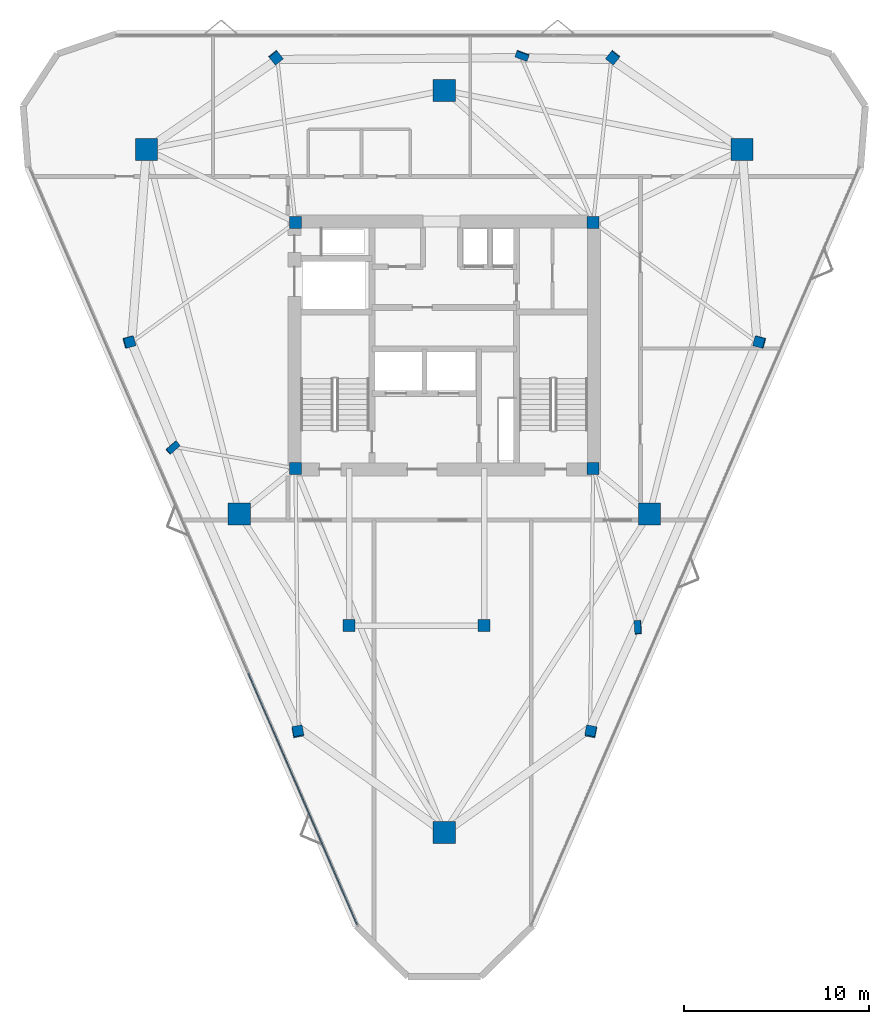
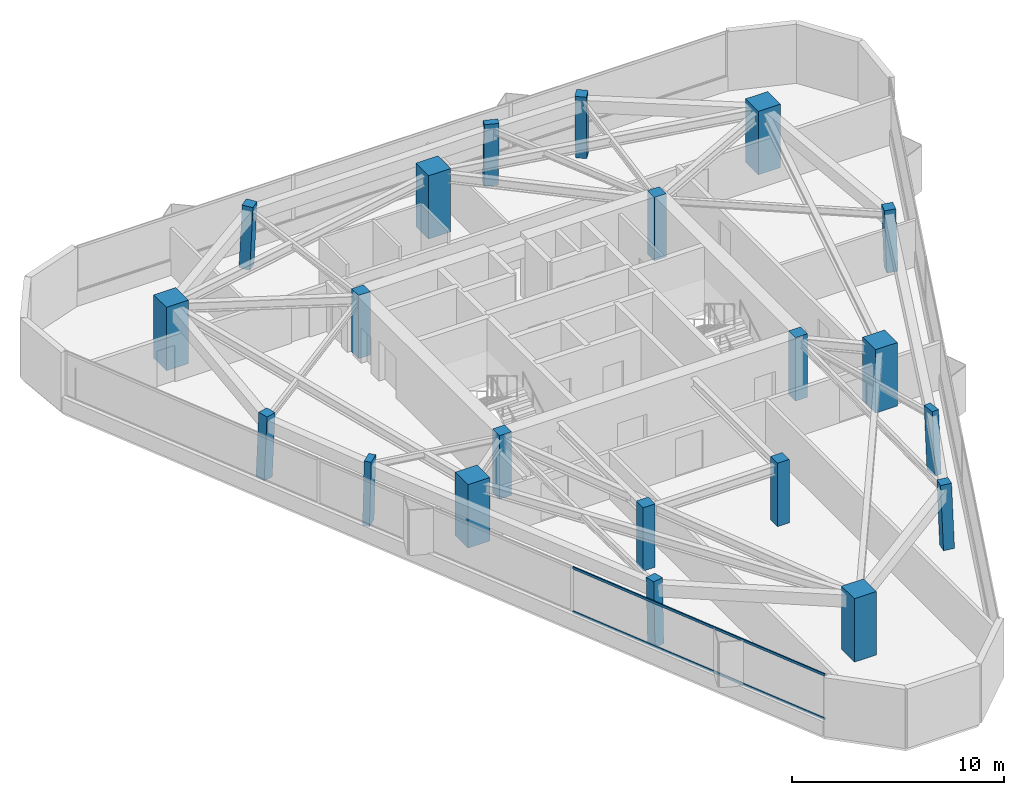
# One storey, part 1 of 11: 21 columns, 2 members, 1 element without a shape of its own.
"""IFC4 building model written with IfcOpenShell, lengths in metres."""

from ifc_helpers import new_model, si_unit, direction, frame, origin, origin_2d, place, context, subcontext, project, spatial, rectangle, extrude, material, layer, layer_set, material_profile, profile_set, type_object, element, aggregate, save


model = new_model("IFC4")

# Units and contexts
model_context = context("Model", 3, precision=1e-05, world=origin(), true_north=direction((0.0, 1.0)))
body_context = subcontext(model_context, "Body", "Model", "MODEL_VIEW")
ifc_project = project(units=[si_unit("LENGTHUNIT", "METRE"), si_unit("AREAUNIT", "SQUARE_METRE"), si_unit("VOLUMEUNIT", "CUBIC_METRE"), si_unit("PLANEANGLEUNIT", "RADIAN"), si_unit("MASSUNIT", "GRAM", prefix="KILO")], contexts=[model_context])

# Site, building, storey
site_placement = place(None, origin())
site = spatial("IfcSite", under=ifc_project, at=site_placement, CompositionType="ELEMENT")
building_placement = place(site_placement, origin())
building = spatial("IfcBuilding", under=site, at=building_placement, Name="Talyreon Biosciences Tower", CompositionType="ELEMENT")
storey_placement = place(building_placement, frame((0.0, 0.0, 264.449951171875)))
storey = spatial("IfcBuildingStorey", under=building, at=storey_placement, Name="L70", CompositionType="ELEMENT", Elevation=264.449951171875)

# Columns
ifc_material_1 = material(Name="Precast concrete C45/55", Category="concrete")
ifc_material_profile_1 = material_profile(ifc_material_1, rectangle(XDim=0.699951171875, YDim=0.35009765625, at=origin_2d()), Name="RC 700x350")
ifc_profile_set_1 = profile_set([ifc_material_profile_1], Name="Precast concrete C45/55")
column_type_1 = type_object("IfcColumnType", Name="FacadePilaster_700x350", PredefinedType="PILASTER", material=ifc_profile_set_1)
column_1_placement = place(storey_placement, frame((76.477783203125, 52.7333984375, 0.0029296875), z_axis=(-0.019545044433, 0.038353802945, 0.999073058909), x_axis=(0.062497055739, -0.997262913499, 0.039506953619)))
element("IfcColumn", 1, at=column_1_placement, inside=storey, type_object=column_type_1, Name="L70 Facade Pilaster PL-SE", PredefinedType="PILASTER", context=body_context, shape_type="SweptSolid", body=[
    extrude(rectangle(XDim=0.699951171875, YDim=0.35009765625, at=origin_2d()), origin(), (0.0, 0.0, 1.0), 3.6474609375),
])
column_2_placement = place(storey_placement, frame((70.2119140625, 83.6787109375, 0.0029296875), z_axis=(-0.01238655289, -0.033544124313, 0.999360478022), x_axis=(-0.9380871136, 0.346399433166, 0.0)))
element("IfcColumn", 2, at=column_2_placement, inside=storey, type_object=column_type_1, Name="L70 Facade Pilaster PL-N", PredefinedType="PILASTER", context=body_context, shape_type="SweptSolid", body=[
    extrude(rectangle(XDim=0.699951171875, YDim=0.35009765625, at=origin_2d()), origin(), (0.0, 0.0, 1.0), 3.646484375),
])
column_3_placement = place(storey_placement, frame((51.310302734375, 62.468017578125, 0.0029296875), z_axis=(0.031939586172, 0.010512610124, 0.999434514045), x_axis=(0.747114275149, 0.663978849593, -0.030860122513)))
element("IfcColumn", 3, at=column_3_placement, inside=storey, type_object=column_type_1, Name="L70 Facade Pilaster PL-SW", PredefinedType="PILASTER", context=body_context, shape_type="SweptSolid", body=[
    extrude(rectangle(XDim=0.699951171875, YDim=0.35009765625, at=origin_2d()), origin(), (0.0, 0.0, 1.0), 3.64599609375),
])
ifc_material_2 = material(Name="Concrete C50/60", Category="concrete")
ifc_material_profile_2 = material_profile(ifc_material_2, rectangle(XDim=1.199951171875, YDim=1.199951171875, at=origin_2d()), Name="RC 1200x1200")
ifc_profile_set_2 = profile_set([ifc_material_profile_2], Name="Concrete C50/60")
column_type_2 = type_object("IfcColumnType", Name="MegaColumn_1200", PredefinedType="COLUMN", material=ifc_profile_set_2)
for number, where, z_axis, x_axis, name in (
    (4, (66.0, 41.6669921875, 0.0), (0.0, 0.0, 1.0), (1.0, 0.0, 0.0), "L70 Composite Mega-Column MC1"),
    (5, (82.102294921875, 78.5986328125, 0.0), (0.0, 0.0, 1.0), (1.0, 0.0, 0.0), "L70 Composite Mega-Column MC2"),
    (6, (49.897705078125, 78.5986328125, 0.0), (0.0, 0.0, 1.0), (1.0, 0.0, 0.0), "L70 Composite Mega-Column MC3"),
    (7, (77.086181640625, 58.88037109375, 0.0), (0.0, 0.0, 1.0), (1.0, 0.0, 0.0), "L70 Composite Mega-Column MC4"),
    (8, (66.0, 81.788818359375, 0.0), (0.0, 0.0, 1.0), (1.0, 0.0, 0.0), "L70 Composite Mega-Column MC5"),
    (9, (54.913818359375, 58.88037109375, 0.0), (0.0, 0.0, 1.0), (1.0, 0.0, 0.0), "L70 Composite Mega-Column MC6"),
):
    element("IfcColumn", number, at=place(storey_placement, frame(where, z_axis=z_axis, x_axis=x_axis)), inside=storey, type_object=column_type_2, Name=name, PredefinedType="COLUMN", context=body_context, shape_type="SweptSolid", body=[
        extrude(rectangle(XDim=1.199951171875, YDim=1.199951171875, at=origin_2d()), origin(), (0.0, 0.0, 1.0), 3.650146484375),
    ])
ifc_material_profile_3 = material_profile(ifc_material_2, rectangle(XDim=0.550048828125, YDim=0.550048828125, at=origin_2d()), Name="RC 550x550")
ifc_profile_set_3 = profile_set([ifc_material_profile_3], Name="Concrete C50/60")
column_type_3 = type_object("IfcColumnType", Name="PerimeterColumn_550", PredefinedType="COLUMN", material=ifc_profile_set_3)
column_4_placement = place(storey_placement, frame((73.928955078125, 47.0947265625, 0.0029296875), z_axis=(-0.012308213911, 0.054517360531, 0.99843696109), x_axis=(-0.185567522322, -0.98129183236, 0.051293609759)))
element("IfcColumn", 10, at=column_4_placement, inside=storey, type_object=column_type_3, Name="L70 Tapering Perimeter Column PC-SE1", PredefinedType="COLUMN", context=body_context, shape_type="SweptSolid", body=[
    extrude(rectangle(XDim=0.550048828125, YDim=0.550048828125, at=origin_2d()), origin(), (0.0, 0.0, 1.0), 3.649658203125),
])
column_5_placement = place(storey_placement, frame((83.054931640625, 68.18603515625, 0.0029296875), z_axis=(-0.039229508262, -0.005623342481, 0.999214403269), x_axis=(0.964117117925, -0.262973930422, 0.036371621395)))
element("IfcColumn", 11, at=column_5_placement, inside=storey, type_object=column_type_3, Name="L70 Tapering Perimeter Column PC-SE2", PredefinedType="COLUMN", context=body_context, shape_type="SweptSolid", body=[
    extrude(rectangle(XDim=0.550048828125, YDim=0.550048828125, at=origin_2d()), origin(), (0.0, 0.0, 1.0), 3.64697265625),
])
for number, where, z_axis, x_axis, name in (
    (12, (75.1259765625, 83.57861328125, 0.0029296875), (-0.026841076243, -0.033534611465, 0.999077067328), (-0.780716755404, 0.624885067698, 0.0), "L70 Tapering Perimeter Column PC-N1"),
    (13, (56.8740234375, 83.57861328125, 0.0029296875), (0.026841076243, -0.033534611465, 0.999077067328), (-0.780716755404, -0.624885067698, 0.0), "L70 Tapering Perimeter Column PC-N2"),
):
    element("IfcColumn", number, at=place(storey_placement, frame(where, z_axis=z_axis, x_axis=x_axis)), inside=storey, type_object=column_type_3, Name=name, PredefinedType="COLUMN", context=body_context, shape_type="SweptSolid", body=[
        extrude(rectangle(XDim=0.550048828125, YDim=0.550048828125, at=origin_2d()), origin(), (0.0, 0.0, 1.0), 3.6474609375),
    ])
column_6_placement = place(storey_placement, frame((48.945068359375, 68.18603515625, 0.0029296875), z_axis=(0.03916266647, -0.005623357237, 0.999217025179), x_axis=(0.964182609928, 0.262742104105, -0.036310899776)))
element("IfcColumn", 14, at=column_6_placement, inside=storey, type_object=column_type_3, Name="L70 Tapering Perimeter Column PC-SW1", PredefinedType="COLUMN", context=body_context, shape_type="SweptSolid", body=[
    extrude(rectangle(XDim=0.550048828125, YDim=0.550048828125, at=origin_2d()), origin(), (0.0, 0.0, 1.0), 3.64697265625),
])
column_7_placement = place(storey_placement, frame((58.071044921875, 47.0947265625, 0.0029296875), z_axis=(0.012308213911, 0.054517360531, 0.99843696109), x_axis=(-0.185567522322, 0.98129183236, -0.051293609759)))
element("IfcColumn", 15, at=column_7_placement, inside=storey, type_object=column_type_3, Name="L70 Tapering Perimeter Column PC-SW2", PredefinedType="COLUMN", context=body_context, shape_type="SweptSolid", body=[
    extrude(rectangle(XDim=0.550048828125, YDim=0.550048828125, at=origin_2d()), origin(), (0.0, 0.0, 1.0), 3.649658203125),
])
ifc_material_profile_4 = material_profile(ifc_material_2, rectangle(XDim=0.64990234375, YDim=0.64990234375, at=origin_2d()), Name="RC 650x650")
ifc_profile_set_4 = profile_set([ifc_material_profile_4], Name="Concrete C50/60")
column_type_4 = type_object("IfcColumnType", Name="PerimeterColumn_650", PredefinedType="COLUMN", material=ifc_profile_set_4)
for number, where, z_axis, x_axis, name in (
    (16, (57.949951171875, 61.35009765625, 0.0), (0.0, 0.0, 1.0), (1.0, 0.0, 0.0), "L70 Core Column CC1"),
    (17, (74.050048828125, 61.35009765625, 0.0), (0.0, 0.0, 1.0), (1.0, 0.0, 0.0), "L70 Core Column CC2"),
    (18, (74.050048828125, 74.64990234375, 0.0), (0.0, 0.0, 1.0), (1.0, 0.0, 0.0), "L70 Core Column CC3"),
    (19, (57.949951171875, 74.64990234375, 0.0), (0.0, 0.0, 1.0), (1.0, 0.0, 0.0), "L70 Core Column CC4"),
    (20, (60.85009765625, 52.840087890625, 0.0), (0.0, 0.0, 1.0), (1.0, 0.0, 0.0), "L70 Core Column CSW"),
    (21, (68.14990234375, 52.840087890625, 0.0), (0.0, 0.0, 1.0), (1.0, 0.0, 0.0), "L70 Core Column CSE"),
):
    element("IfcColumn", number, at=place(storey_placement, frame(where, z_axis=z_axis, x_axis=x_axis)), inside=storey, type_object=column_type_4, Name=name, PredefinedType="COLUMN", context=body_context, shape_type="SweptSolid", body=[
        extrude(rectangle(XDim=0.64990234375, YDim=0.64990234375, at=origin_2d()), origin(), (0.0, 0.0, 1.0), 3.650146484375),
    ])

# Curtain wall, members
ifc_material_3 = material(Name="Thermally broken aluminium and low-E glazing", Category="aluminium")
ifc_layer = layer(ifc_material_3, 0.175048828125)
ifc_layer_set = layer_set([ifc_layer], Name="Thermally broken aluminium and low-E glazing")
curtain_wall_type = type_object("IfcCurtainWallType", Name="CurtainWall_Zone5CompLab", PredefinedType="NOTDEFINED", material=ifc_layer_set)
curtain_wall_placement = place(storey_placement, origin())
curtain_wall = element("IfcCurtainWall", 22, at=curtain_wall_placement, inside=storey, type_object=curtain_wall_type, Name="L70 Unitised Curtain Wall FCW-L70-00", PredefinedType="NOTDEFINED")
ifc_material_4 = material(Name="Anodised thermally broken aluminium", Category="aluminium")
ifc_material_profile_5 = material_profile(ifc_material_4, rectangle(XDim=0.06494140625, YDim=0.139892578125, at=origin_2d()), Name="ALUM TRANSOM 65x140")
ifc_profile_set_5 = profile_set([ifc_material_profile_5], Name="Anodised thermally broken aluminium")
member_type = type_object("IfcMemberType", Name="CWTransom_65x140", PredefinedType="USERDEFINED", material=ifc_profile_set_5)
member_1_placement = place(storey_placement, frame((61.275390625, 36.69482421875, 0.842529296875), z_axis=(-0.397222383185, 0.917722386289, 0.0), x_axis=(-0.917722386289, -0.397222383185, 0.0)))
member_1 = element("IfcMember", 23, at=member_1_placement, type_object=member_type, Name="CW6 transom 1.1", ObjectType="TRANSOM", PredefinedType="USERDEFINED", context=body_context, shape_type="SweptSolid", body=[
    extrude(rectangle(XDim=0.06494140625, YDim=0.139892578125, at=origin_2d()), origin(), (0.0, 0.0, 1.0), 14.787841796875),
])
member_2_placement = place(storey_placement, frame((61.275390625, 36.69482421875, 3.367431640625), z_axis=(-0.397222383185, 0.917722386289, 0.0), x_axis=(-0.917722386289, -0.397222383185, 0.0)))
member_2 = element("IfcMember", 24, at=member_2_placement, type_object=member_type, Name="CW6 transom 1.2", ObjectType="TRANSOM", PredefinedType="USERDEFINED", context=body_context, shape_type="SweptSolid", body=[
    extrude(rectangle(XDim=0.06494140625, YDim=0.139892578125, at=origin_2d()), origin(), (0.0, 0.0, 1.0), 14.787841796875),
])
aggregate(curtain_wall, [member_1, member_2])

save(model, "model.ifc")
